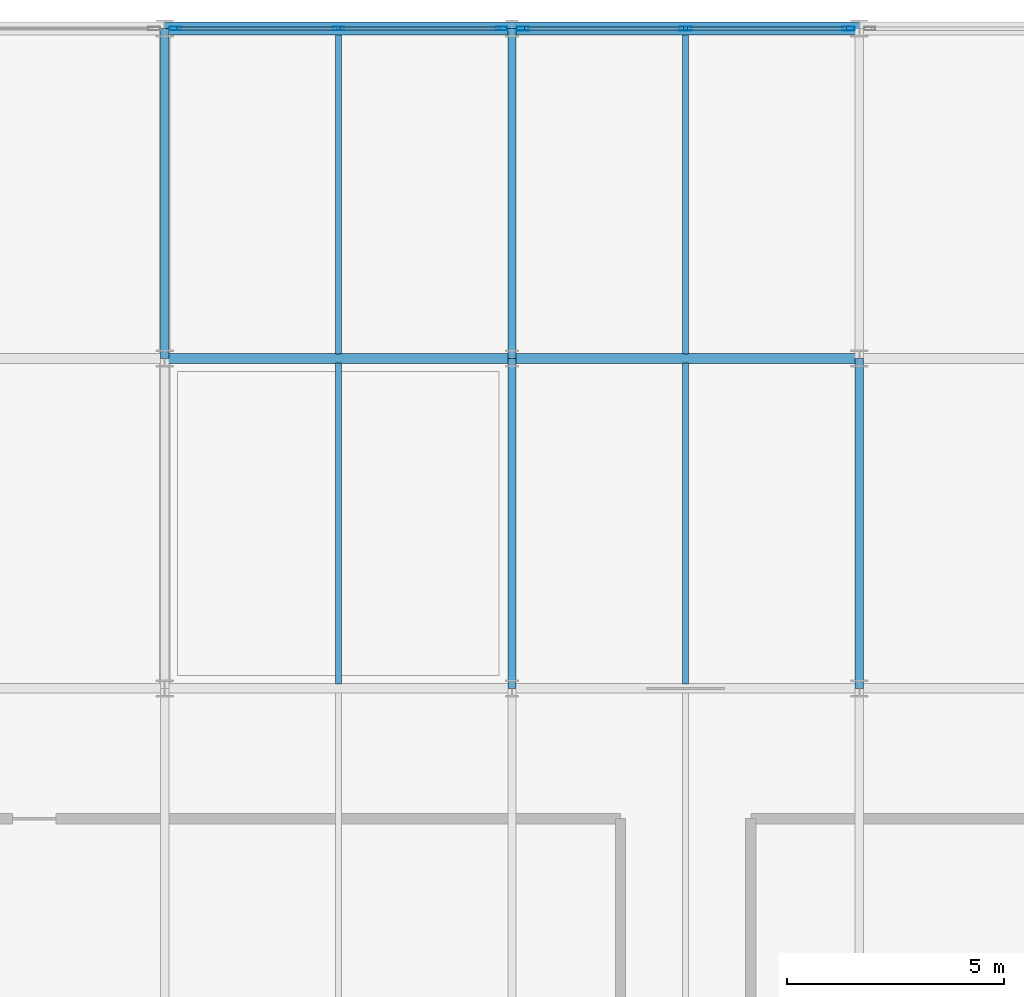
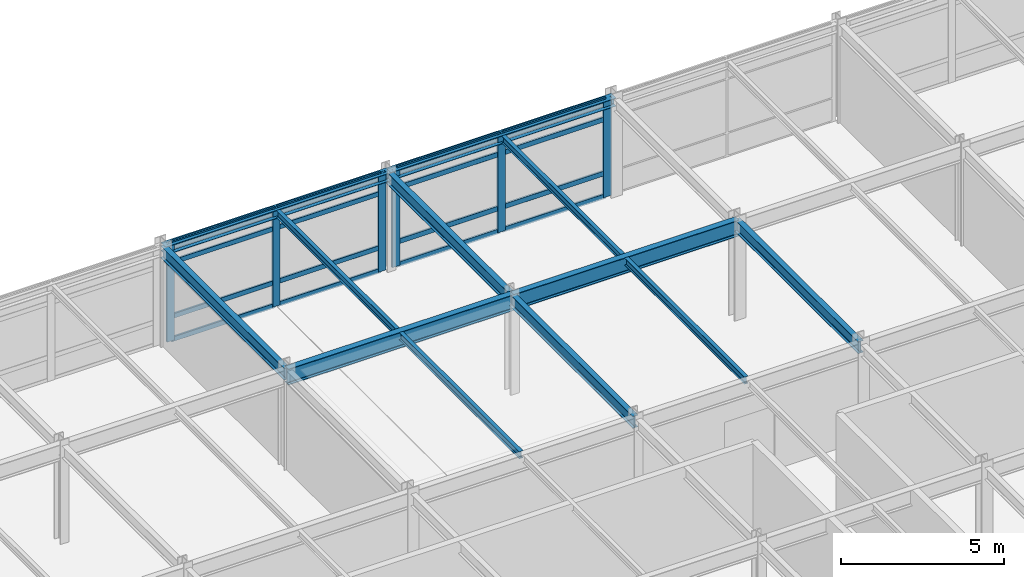
# One storey, part 7 of 14: 22 members, 12 beams, 2 elements without a shape of their own.
"""IFC4 building model written with IfcOpenShell, lengths in metres."""

from ifc_helpers import new_model, si_unit, direction, frame, origin, origin_2d, place, context, subcontext, project, spatial, hollow_rectangle, i_section, extrude, material, layer, layer_set, material_profile, profile_set, type_object, element, aggregate, save


model = new_model("IFC4")

# Units and contexts
model_context = context("Model", 3, precision=1e-05, world=origin(), true_north=direction((0.0, 1.0)))
body_context = subcontext(model_context, "Body", "Model", "MODEL_VIEW")
ifc_project = project(units=[si_unit("LENGTHUNIT", "METRE"), si_unit("AREAUNIT", "SQUARE_METRE"), si_unit("VOLUMEUNIT", "CUBIC_METRE"), si_unit("PLANEANGLEUNIT", "RADIAN"), si_unit("MASSUNIT", "GRAM", prefix="KILO")], contexts=[model_context])

# Site, building, storey
site_placement = place(None, origin())
site = spatial("IfcSite", under=ifc_project, at=site_placement, CompositionType="ELEMENT")
building_placement = place(site_placement, origin())
building = spatial("IfcBuilding", under=site, at=building_placement, Name="Shalkamar Park Central Library", CompositionType="ELEMENT")
storey_placement = place(building_placement, frame((0.0, 0.0, 32.10009765625)))
storey = spatial("IfcBuildingStorey", under=building, at=storey_placement, Name="L08", CompositionType="ELEMENT", Elevation=32.10009765625)

# Beams
ifc_material_1 = material(Name="Steel S355", Category="steel")
ifc_material_profile_1 = material_profile(ifc_material_1, i_section(OverallWidth=0.135009765625, OverallDepth=0.27001953125, WebThickness=0.006591796875, FlangeThickness=0.01025390625, FilletRadius=0.014892578125, at=origin_2d()), Name="IPE 270")
ifc_profile_set_1 = profile_set([ifc_material_profile_1], Name="Steel S355")
beam_type_1 = type_object("IfcBeamType", Name="Composite Floor Joist IPE270", PredefinedType="JOIST", material=ifc_profile_set_1)
beam_1_placement = place(storey_placement, frame((185.0, 278.10791015625, 3.544921875), z_axis=(0.0, 1.0, 0.0), x_axis=(-1.0, 0.0, 0.0)))
element("IfcBeam", 1, at=beam_1_placement, inside=storey, type_object=beam_type_1, Name="Composite Joist 09/F-1 (L08)", PredefinedType="JOIST", context=body_context, shape_type="SweptSolid", body=[
    extrude(i_section(OverallWidth=0.135009765625, OverallDepth=0.27001953125, WebThickness=0.006591796875, FlangeThickness=0.01025390625, FilletRadius=0.014892578125, at=origin_2d()), origin(), (0.0, 0.0, 1.0), 7.384033203125),
])
beam_2_placement = place(storey_placement, frame((185.0, 285.7080078125, 3.544921875), z_axis=(0.0, 1.0, 0.0), x_axis=(-1.0, 0.0, 0.0)))
element("IfcBeam", 2, at=beam_2_placement, inside=storey, type_object=beam_type_1, Name="Composite Joist 09/G-1 (L08)", PredefinedType="JOIST", context=body_context, shape_type="SweptSolid", body=[
    extrude(i_section(OverallWidth=0.135009765625, OverallDepth=0.27001953125, WebThickness=0.006591796875, FlangeThickness=0.01025390625, FilletRadius=0.014892578125, at=origin_2d()), origin(), (0.0, 0.0, 1.0), 7.343994140625),
])
beam_3_placement = place(storey_placement, frame((193.0, 278.10791015625, 3.544921875), z_axis=(0.0, 1.0, 0.0), x_axis=(-1.0, 0.0, 0.0)))
element("IfcBeam", 3, at=beam_3_placement, inside=storey, type_object=beam_type_1, Name="Composite Joist 10/F-1 (L08)", PredefinedType="JOIST", context=body_context, shape_type="SweptSolid", body=[
    extrude(i_section(OverallWidth=0.135009765625, OverallDepth=0.27001953125, WebThickness=0.006591796875, FlangeThickness=0.01025390625, FilletRadius=0.014892578125, at=origin_2d()), origin(), (0.0, 0.0, 1.0), 7.384033203125),
])
beam_4_placement = place(storey_placement, frame((193.0, 285.7080078125, 3.544921875), z_axis=(0.0, 1.0, 0.0), x_axis=(-1.0, 0.0, 0.0)))
element("IfcBeam", 4, at=beam_4_placement, inside=storey, type_object=beam_type_1, Name="Composite Joist 10/G-1 (L08)", PredefinedType="JOIST", context=body_context, shape_type="SweptSolid", body=[
    extrude(i_section(OverallWidth=0.135009765625, OverallDepth=0.27001953125, WebThickness=0.006591796875, FlangeThickness=0.01025390625, FilletRadius=0.014892578125, at=origin_2d()), origin(), (0.0, 0.0, 1.0), 7.343994140625),
])

# Curtain wall, members
ifc_material_2 = material(Name="Thermally broken aluminium and triple low-e curtain wall", Category="aluminium")
ifc_layer_1 = layer(ifc_material_2, 0.264892578125)
ifc_layer_set_1 = layer_set([ifc_layer_1], Name="UnitisedCurtainWall_77")
curtain_wall_type_1 = type_object("IfcCurtainWallType", Name="Unitised Curtain Wall 77", PredefinedType="USERDEFINED", material=ifc_layer_set_1)
curtain_wall_1_placement = place(storey_placement, origin())
curtain_wall_1 = element("IfcCurtainWall", 5, at=curtain_wall_1_placement, inside=storey, type_object=curtain_wall_type_1, Name="Unitised Curtain Wall CW-L08-107", ObjectType="UNITISED CURTAIN WALL", PredefinedType="USERDEFINED")
ifc_material_3 = material(Name="Aluminium 6060-T66", Category="aluminium")
ifc_material_profile_2 = material_profile(ifc_material_3, hollow_rectangle(XDim=0.0849609375, YDim=0.264892578125, WallThickness=0.0048828125, InnerFilletRadius=0.0048828125, OuterFilletRadius=0.007568359375, at=origin_2d()), Name="ALU 85x265x5")
ifc_profile_set_2 = profile_set([ifc_material_profile_2], Name="Aluminium 6060-T66")
member_type_1 = type_object("IfcMemberType", Name="Curtain Wall Mullion ALU85x265", PredefinedType="MULLION", material=ifc_profile_set_2)
member_1_placement = place(storey_placement, frame((181.24560546875, 293.199951171875, 0.0), z_axis=(0.0, 0.0, 1.0), x_axis=(0.0, 1.0, 0.0)))
member_1 = element("IfcMember", 6, at=member_1_placement, type_object=member_type_1, Name="CW-77 mullion 1", PredefinedType="MULLION", context=body_context, shape_type="SweptSolid", body=[
    extrude(hollow_rectangle(XDim=0.0849609375, YDim=0.264892578125, WallThickness=0.0048828125, InnerFilletRadius=0.0048828125, OuterFilletRadius=0.007568359375, at=origin_2d()), origin(), (0.0, 0.0, 1.0), 3.679931640625),
])
member_2_placement = place(storey_placement, frame((185.000732421875, 293.199951171875, 0.0), z_axis=(0.0, 0.0, 1.0), x_axis=(0.0, 1.0, 0.0)))
member_2 = element("IfcMember", 7, at=member_2_placement, type_object=member_type_1, Name="CW-77 mullion 2", PredefinedType="MULLION", context=body_context, shape_type="SweptSolid", body=[
    extrude(hollow_rectangle(XDim=0.0849609375, YDim=0.264892578125, WallThickness=0.0048828125, InnerFilletRadius=0.0048828125, OuterFilletRadius=0.007568359375, at=origin_2d()), origin(), (0.0, 0.0, 1.0), 3.679931640625),
])
member_3_placement = place(storey_placement, frame((188.756103515625, 293.199951171875, 0.0), z_axis=(0.0, 0.0, 1.0), x_axis=(0.0, 1.0, 0.0)))
member_3 = element("IfcMember", 8, at=member_3_placement, type_object=member_type_1, Name="CW-77 mullion 3", PredefinedType="MULLION", context=body_context, shape_type="SweptSolid", body=[
    extrude(hollow_rectangle(XDim=0.0849609375, YDim=0.264892578125, WallThickness=0.0048828125, InnerFilletRadius=0.0048828125, OuterFilletRadius=0.007568359375, at=origin_2d()), origin(), (0.0, 0.0, 1.0), 3.679931640625),
])

ifc_layer_2 = layer(ifc_material_2, 0.280029296875)
ifc_layer_set_2 = layer_set([ifc_layer_2], Name="UnitisedCurtainWall_78")
curtain_wall_type_2 = type_object("IfcCurtainWallType", Name="Unitised Curtain Wall 78", PredefinedType="USERDEFINED", material=ifc_layer_set_2)
curtain_wall_2_placement = place(storey_placement, origin())
curtain_wall_2 = element("IfcCurtainWall", 9, at=curtain_wall_2_placement, inside=storey, type_object=curtain_wall_type_2, Name="Unitised Curtain Wall CW-L08-108", ObjectType="UNITISED CURTAIN WALL", PredefinedType="USERDEFINED")
ifc_material_profile_3 = material_profile(ifc_material_3, hollow_rectangle(XDim=0.090087890625, YDim=0.280029296875, WallThickness=0.0048828125, InnerFilletRadius=0.0048828125, OuterFilletRadius=0.007568359375, at=origin_2d()), Name="ALU 90x280x5")
ifc_profile_set_3 = profile_set([ifc_material_profile_3], Name="Aluminium 6060-T66")
member_type_2 = type_object("IfcMemberType", Name="Curtain Wall Mullion ALU90x280", PredefinedType="MULLION", material=ifc_profile_set_3)
member_4_placement = place(storey_placement, frame((189.24658203125, 293.199951171875, 0.0), z_axis=(0.0, 0.0, 1.0), x_axis=(0.0, 1.0, 0.0)))
member_4 = element("IfcMember", 10, at=member_4_placement, type_object=member_type_2, Name="CW-78 mullion 1", PredefinedType="MULLION", context=body_context, shape_type="SweptSolid", body=[
    extrude(hollow_rectangle(XDim=0.090087890625, YDim=0.280029296875, WallThickness=0.0048828125, InnerFilletRadius=0.0048828125, OuterFilletRadius=0.007568359375, at=origin_2d()), origin(), (0.0, 0.0, 1.0), 3.679931640625),
])
member_5_placement = place(storey_placement, frame((192.999267578125, 293.199951171875, 0.0), z_axis=(0.0, 0.0, 1.0), x_axis=(0.0, 1.0, 0.0)))
member_5 = element("IfcMember", 11, at=member_5_placement, type_object=member_type_2, Name="CW-78 mullion 2", PredefinedType="MULLION", context=body_context, shape_type="SweptSolid", body=[
    extrude(hollow_rectangle(XDim=0.090087890625, YDim=0.280029296875, WallThickness=0.0048828125, InnerFilletRadius=0.0048828125, OuterFilletRadius=0.007568359375, at=origin_2d()), origin(), (0.0, 0.0, 1.0), 3.679931640625),
])
member_6_placement = place(storey_placement, frame((196.751953125, 293.199951171875, 0.0), z_axis=(0.0, 0.0, 1.0), x_axis=(0.0, 1.0, 0.0)))
member_6 = element("IfcMember", 12, at=member_6_placement, type_object=member_type_2, Name="CW-78 mullion 3", PredefinedType="MULLION", context=body_context, shape_type="SweptSolid", body=[
    extrude(hollow_rectangle(XDim=0.090087890625, YDim=0.280029296875, WallThickness=0.0048828125, InnerFilletRadius=0.0048828125, OuterFilletRadius=0.007568359375, at=origin_2d()), origin(), (0.0, 0.0, 1.0), 3.679931640625),
])

# Member
ifc_material_profile_4 = material_profile(ifc_material_3, hollow_rectangle(XDim=0.070068359375, YDim=0.179931640625, WallThickness=0.00439453125, InnerFilletRadius=0.00439453125, OuterFilletRadius=0.0068359375, at=origin_2d()), Name="ALU 70x180x4.5")
ifc_profile_set_4 = profile_set([ifc_material_profile_4], Name="Aluminium 6060-T66")
member_type_3 = type_object("IfcMemberType", Name="Curtain Wall Transom ALU70x180", PredefinedType="USERDEFINED", material=ifc_profile_set_4)
member_7_placement = place(storey_placement, frame((181.2880859375, 293.199951171875, 0.034912109375), z_axis=(1.0, 0.0, 0.0), x_axis=(0.0, 1.0, 0.0)))
member_7 = element("IfcMember", 13, at=member_7_placement, type_object=member_type_3, Name="CW-77 transom 1.1", ObjectType="TRANSOM", PredefinedType="USERDEFINED", context=body_context, shape_type="SweptSolid", body=[
    extrude(hollow_rectangle(XDim=0.070068359375, YDim=0.179931640625, WallThickness=0.00439453125, InnerFilletRadius=0.00439453125, OuterFilletRadius=0.0068359375, at=origin_2d()), origin(), (0.0, 0.0, 1.0), 3.670166015625),
])

member_8_placement = place(storey_placement, frame((181.2880859375, 293.199951171875, 0.89990234375), z_axis=(1.0, 0.0, 0.0), x_axis=(0.0, 1.0, 0.0)))
member_8 = element("IfcMember", 14, at=member_8_placement, type_object=member_type_3, Name="CW-77 transom 1.2", ObjectType="TRANSOM", PredefinedType="USERDEFINED", context=body_context, shape_type="SweptSolid", body=[
    extrude(hollow_rectangle(XDim=0.070068359375, YDim=0.179931640625, WallThickness=0.00439453125, InnerFilletRadius=0.00439453125, OuterFilletRadius=0.0068359375, at=origin_2d()), origin(), (0.0, 0.0, 1.0), 3.670166015625),
])

member_9_placement = place(storey_placement, frame((181.2880859375, 293.199951171875, 2.929931640625), z_axis=(1.0, 0.0, 0.0), x_axis=(0.0, 1.0, 0.0)))
member_9 = element("IfcMember", 15, at=member_9_placement, type_object=member_type_3, Name="CW-77 transom 1.3", ObjectType="TRANSOM", PredefinedType="USERDEFINED", context=body_context, shape_type="SweptSolid", body=[
    extrude(hollow_rectangle(XDim=0.070068359375, YDim=0.179931640625, WallThickness=0.00439453125, InnerFilletRadius=0.00439453125, OuterFilletRadius=0.0068359375, at=origin_2d()), origin(), (0.0, 0.0, 1.0), 3.670166015625),
])

member_10_placement = place(storey_placement, frame((181.2880859375, 293.199951171875, 3.64501953125), z_axis=(1.0, 0.0, 0.0), x_axis=(0.0, 1.0, 0.0)))
member_10 = element("IfcMember", 16, at=member_10_placement, type_object=member_type_3, Name="CW-77 transom 1.4", ObjectType="TRANSOM", PredefinedType="USERDEFINED", context=body_context, shape_type="SweptSolid", body=[
    extrude(hollow_rectangle(XDim=0.070068359375, YDim=0.179931640625, WallThickness=0.00439453125, InnerFilletRadius=0.00439453125, OuterFilletRadius=0.0068359375, at=origin_2d()), origin(), (0.0, 0.0, 1.0), 3.670166015625),
])

member_11_placement = place(storey_placement, frame((185.043212890625, 293.199951171875, 0.034912109375), z_axis=(1.0, 0.0, 0.0), x_axis=(0.0, 1.0, 0.0)))
member_11 = element("IfcMember", 17, at=member_11_placement, type_object=member_type_3, Name="CW-77 transom 2.1", ObjectType="TRANSOM", PredefinedType="USERDEFINED", context=body_context, shape_type="SweptSolid", body=[
    extrude(hollow_rectangle(XDim=0.070068359375, YDim=0.179931640625, WallThickness=0.00439453125, InnerFilletRadius=0.00439453125, OuterFilletRadius=0.0068359375, at=origin_2d()), origin(), (0.0, 0.0, 1.0), 3.670166015625),
])

member_12_placement = place(storey_placement, frame((185.043212890625, 293.199951171875, 0.89990234375), z_axis=(1.0, 0.0, 0.0), x_axis=(0.0, 1.0, 0.0)))
member_12 = element("IfcMember", 18, at=member_12_placement, type_object=member_type_3, Name="CW-77 transom 2.2", ObjectType="TRANSOM", PredefinedType="USERDEFINED", context=body_context, shape_type="SweptSolid", body=[
    extrude(hollow_rectangle(XDim=0.070068359375, YDim=0.179931640625, WallThickness=0.00439453125, InnerFilletRadius=0.00439453125, OuterFilletRadius=0.0068359375, at=origin_2d()), origin(), (0.0, 0.0, 1.0), 3.670166015625),
])

member_13_placement = place(storey_placement, frame((185.043212890625, 293.199951171875, 2.929931640625), z_axis=(1.0, 0.0, 0.0), x_axis=(0.0, 1.0, 0.0)))
member_13 = element("IfcMember", 19, at=member_13_placement, type_object=member_type_3, Name="CW-77 transom 2.3", ObjectType="TRANSOM", PredefinedType="USERDEFINED", context=body_context, shape_type="SweptSolid", body=[
    extrude(hollow_rectangle(XDim=0.070068359375, YDim=0.179931640625, WallThickness=0.00439453125, InnerFilletRadius=0.00439453125, OuterFilletRadius=0.0068359375, at=origin_2d()), origin(), (0.0, 0.0, 1.0), 3.670166015625),
])

member_14_placement = place(storey_placement, frame((185.043212890625, 293.199951171875, 3.64501953125), z_axis=(1.0, 0.0, 0.0), x_axis=(0.0, 1.0, 0.0)))
member_14 = element("IfcMember", 20, at=member_14_placement, type_object=member_type_3, Name="CW-77 transom 2.4", ObjectType="TRANSOM", PredefinedType="USERDEFINED", context=body_context, shape_type="SweptSolid", body=[
    extrude(hollow_rectangle(XDim=0.070068359375, YDim=0.179931640625, WallThickness=0.00439453125, InnerFilletRadius=0.00439453125, OuterFilletRadius=0.0068359375, at=origin_2d()), origin(), (0.0, 0.0, 1.0), 3.670166015625),
])

aggregate(curtain_wall_1, [member_1, member_2, member_3, member_7, member_8, member_9, member_10, member_11, member_12, member_13, member_14])

ifc_material_profile_5 = material_profile(ifc_material_3, hollow_rectangle(XDim=0.070068359375, YDim=0.18994140625, WallThickness=0.0048828125, InnerFilletRadius=0.0048828125, OuterFilletRadius=0.007568359375, at=origin_2d()), Name="ALU 70x190x5")
ifc_profile_set_5 = profile_set([ifc_material_profile_5], Name="Aluminium 6060-T66")
member_type_4 = type_object("IfcMemberType", Name="Curtain Wall Transom ALU70x190", PredefinedType="USERDEFINED", material=ifc_profile_set_5)
member_15_placement = place(storey_placement, frame((189.29150390625, 293.199951171875, 0.034912109375), z_axis=(1.0, 0.0, 0.0), x_axis=(0.0, 1.0, 0.0)))
member_15 = element("IfcMember", 21, at=member_15_placement, type_object=member_type_4, Name="CW-78 transom 1.1", ObjectType="TRANSOM", PredefinedType="USERDEFINED", context=body_context, shape_type="SweptSolid", body=[
    extrude(hollow_rectangle(XDim=0.070068359375, YDim=0.18994140625, WallThickness=0.0048828125, InnerFilletRadius=0.0048828125, OuterFilletRadius=0.007568359375, at=origin_2d()), origin(), (0.0, 0.0, 1.0), 3.662841796875),
])

member_16_placement = place(storey_placement, frame((189.29150390625, 293.199951171875, 0.89990234375), z_axis=(1.0, 0.0, 0.0), x_axis=(0.0, 1.0, 0.0)))
member_16 = element("IfcMember", 22, at=member_16_placement, type_object=member_type_4, Name="CW-78 transom 1.2", ObjectType="TRANSOM", PredefinedType="USERDEFINED", context=body_context, shape_type="SweptSolid", body=[
    extrude(hollow_rectangle(XDim=0.070068359375, YDim=0.18994140625, WallThickness=0.0048828125, InnerFilletRadius=0.0048828125, OuterFilletRadius=0.007568359375, at=origin_2d()), origin(), (0.0, 0.0, 1.0), 3.662841796875),
])

member_17_placement = place(storey_placement, frame((189.29150390625, 293.199951171875, 2.929931640625), z_axis=(1.0, 0.0, 0.0), x_axis=(0.0, 1.0, 0.0)))
member_17 = element("IfcMember", 23, at=member_17_placement, type_object=member_type_4, Name="CW-78 transom 1.3", ObjectType="TRANSOM", PredefinedType="USERDEFINED", context=body_context, shape_type="SweptSolid", body=[
    extrude(hollow_rectangle(XDim=0.070068359375, YDim=0.18994140625, WallThickness=0.0048828125, InnerFilletRadius=0.0048828125, OuterFilletRadius=0.007568359375, at=origin_2d()), origin(), (0.0, 0.0, 1.0), 3.662841796875),
])

member_18_placement = place(storey_placement, frame((189.29150390625, 293.199951171875, 3.64501953125), z_axis=(1.0, 0.0, 0.0), x_axis=(0.0, 1.0, 0.0)))
member_18 = element("IfcMember", 24, at=member_18_placement, type_object=member_type_4, Name="CW-78 transom 1.4", ObjectType="TRANSOM", PredefinedType="USERDEFINED", context=body_context, shape_type="SweptSolid", body=[
    extrude(hollow_rectangle(XDim=0.070068359375, YDim=0.18994140625, WallThickness=0.0048828125, InnerFilletRadius=0.0048828125, OuterFilletRadius=0.007568359375, at=origin_2d()), origin(), (0.0, 0.0, 1.0), 3.662841796875),
])

member_19_placement = place(storey_placement, frame((193.044189453125, 293.199951171875, 0.034912109375), z_axis=(1.0, 0.0, 0.0), x_axis=(0.0, 1.0, 0.0)))
member_19 = element("IfcMember", 25, at=member_19_placement, type_object=member_type_4, Name="CW-78 transom 2.1", ObjectType="TRANSOM", PredefinedType="USERDEFINED", context=body_context, shape_type="SweptSolid", body=[
    extrude(hollow_rectangle(XDim=0.070068359375, YDim=0.18994140625, WallThickness=0.0048828125, InnerFilletRadius=0.0048828125, OuterFilletRadius=0.007568359375, at=origin_2d()), origin(), (0.0, 0.0, 1.0), 3.662841796875),
])

member_20_placement = place(storey_placement, frame((193.044189453125, 293.199951171875, 0.89990234375), z_axis=(1.0, 0.0, 0.0), x_axis=(0.0, 1.0, 0.0)))
member_20 = element("IfcMember", 26, at=member_20_placement, type_object=member_type_4, Name="CW-78 transom 2.2", ObjectType="TRANSOM", PredefinedType="USERDEFINED", context=body_context, shape_type="SweptSolid", body=[
    extrude(hollow_rectangle(XDim=0.070068359375, YDim=0.18994140625, WallThickness=0.0048828125, InnerFilletRadius=0.0048828125, OuterFilletRadius=0.007568359375, at=origin_2d()), origin(), (0.0, 0.0, 1.0), 3.662841796875),
])

member_21_placement = place(storey_placement, frame((193.044189453125, 293.199951171875, 2.929931640625), z_axis=(1.0, 0.0, 0.0), x_axis=(0.0, 1.0, 0.0)))
member_21 = element("IfcMember", 27, at=member_21_placement, type_object=member_type_4, Name="CW-78 transom 2.3", ObjectType="TRANSOM", PredefinedType="USERDEFINED", context=body_context, shape_type="SweptSolid", body=[
    extrude(hollow_rectangle(XDim=0.070068359375, YDim=0.18994140625, WallThickness=0.0048828125, InnerFilletRadius=0.0048828125, OuterFilletRadius=0.007568359375, at=origin_2d()), origin(), (0.0, 0.0, 1.0), 3.662841796875),
])

member_22_placement = place(storey_placement, frame((193.044189453125, 293.199951171875, 3.64501953125), z_axis=(1.0, 0.0, 0.0), x_axis=(0.0, 1.0, 0.0)))
member_22 = element("IfcMember", 28, at=member_22_placement, type_object=member_type_4, Name="CW-78 transom 2.4", ObjectType="TRANSOM", PredefinedType="USERDEFINED", context=body_context, shape_type="SweptSolid", body=[
    extrude(hollow_rectangle(XDim=0.070068359375, YDim=0.18994140625, WallThickness=0.0048828125, InnerFilletRadius=0.0048828125, OuterFilletRadius=0.007568359375, at=origin_2d()), origin(), (0.0, 0.0, 1.0), 3.662841796875),
])

aggregate(curtain_wall_2, [member_4, member_5, member_6, member_15, member_16, member_17, member_18, member_19, member_20, member_21, member_22])

# Beams
ifc_material_profile_6 = material_profile(ifc_material_1, i_section(OverallWidth=0.300048828125, OverallDepth=0.31005859375, WebThickness=0.009033203125, FlangeThickness=0.015380859375, FilletRadius=0.027099609375, at=origin_2d()), Name="HEA 320")
ifc_profile_set_6 = profile_set([ifc_material_profile_6], Name="Steel S355")
beam_type_2 = type_object("IfcBeamType", Name="Perimeter Spandrel Beam HEA320", PredefinedType="SPANDREL", material=ifc_profile_set_6)
for number, where, z_axis, x_axis, name in (
    (29, (181.0, 293.199951171875, 3.52490234375), (1.0, 0.0, 0.0), (0.0, 1.0, 0.0), "Beam H:09-10 (L08)"),
    (30, (189.0, 293.199951171875, 3.52490234375), (1.0, 0.0, 0.0), (0.0, 1.0, 0.0), "Beam H:10-11 (L08)"),
):
    element("IfcBeam", number, at=place(storey_placement, frame(where, z_axis=z_axis, x_axis=x_axis)), inside=storey, type_object=beam_type_2, Name=name, PredefinedType="SPANDREL", context=body_context, shape_type="SweptSolid", body=[
        extrude(i_section(OverallWidth=0.300048828125, OverallDepth=0.31005859375, WebThickness=0.009033203125, FlangeThickness=0.015380859375, FilletRadius=0.027099609375, at=origin_2d()), origin(), (0.0, 0.0, 1.0), 8.0),
    ])
ifc_material_profile_7 = material_profile(ifc_material_1, i_section(OverallWidth=0.18994140625, OverallDepth=0.449951171875, WebThickness=0.009521484375, FlangeThickness=0.0146484375, FilletRadius=0.02099609375, at=origin_2d()), Name="IPE 450")
ifc_profile_set_7 = profile_set([ifc_material_profile_7], Name="Steel S355")
beam_type_3 = type_object("IfcBeamType", Name="Primary Girder IPE450", PredefinedType="BEAM", material=ifc_profile_set_7)
beam_5_placement = place(storey_placement, frame((181.0, 285.60009765625, 3.454833984375), z_axis=(0.0, 1.0, 0.0), x_axis=(-1.0, 0.0, 0.0)))
element("IfcBeam", 31, at=beam_5_placement, inside=storey, type_object=beam_type_3, Name="Beam 09:G-H (L08)", PredefinedType="BEAM", context=body_context, shape_type="SweptSolid", body=[
    extrude(i_section(OverallWidth=0.18994140625, OverallDepth=0.449951171875, WebThickness=0.009521484375, FlangeThickness=0.0146484375, FilletRadius=0.02099609375, at=origin_2d()), origin(), (0.0, 0.0, 1.0), 7.599853515625),
])
beam_6_placement = place(storey_placement, frame((189.0, 278.0, 3.454833984375), z_axis=(0.0, 1.0, 0.0), x_axis=(-1.0, 0.0, 0.0)))
element("IfcBeam", 32, at=beam_6_placement, inside=storey, type_object=beam_type_3, Name="Beam 10:F-G (L08)", PredefinedType="BEAM", context=body_context, shape_type="SweptSolid", body=[
    extrude(i_section(OverallWidth=0.18994140625, OverallDepth=0.449951171875, WebThickness=0.009521484375, FlangeThickness=0.0146484375, FilletRadius=0.02099609375, at=origin_2d()), origin(), (0.0, 0.0, 1.0), 7.60009765625),
])
beam_7_placement = place(storey_placement, frame((189.0, 285.60009765625, 3.454833984375), z_axis=(0.0, 1.0, 0.0), x_axis=(-1.0, 0.0, 0.0)))
element("IfcBeam", 33, at=beam_7_placement, inside=storey, type_object=beam_type_3, Name="Beam 10:G-H (L08)", PredefinedType="BEAM", context=body_context, shape_type="SweptSolid", body=[
    extrude(i_section(OverallWidth=0.18994140625, OverallDepth=0.449951171875, WebThickness=0.009521484375, FlangeThickness=0.0146484375, FilletRadius=0.02099609375, at=origin_2d()), origin(), (0.0, 0.0, 1.0), 7.599853515625),
])
beam_8_placement = place(storey_placement, frame((197.0, 278.0, 3.454833984375), z_axis=(0.0, 1.0, 0.0), x_axis=(-1.0, 0.0, 0.0)))
element("IfcBeam", 34, at=beam_8_placement, inside=storey, type_object=beam_type_3, Name="Beam 11:F-G (L08)", PredefinedType="BEAM", context=body_context, shape_type="SweptSolid", body=[
    extrude(i_section(OverallWidth=0.18994140625, OverallDepth=0.449951171875, WebThickness=0.009521484375, FlangeThickness=0.0146484375, FilletRadius=0.02099609375, at=origin_2d()), origin(), (0.0, 0.0, 1.0), 7.60009765625),
])
ifc_material_profile_8 = material_profile(ifc_material_1, i_section(OverallWidth=0.219970703125, OverallDepth=0.60009765625, WebThickness=0.011962890625, FlangeThickness=0.01904296875, FilletRadius=0.02392578125, at=origin_2d()), Name="IPE 600")
ifc_profile_set_8 = profile_set([ifc_material_profile_8], Name="Steel S355")
beam_type_4 = type_object("IfcBeamType", Name="Primary Girder IPE600", PredefinedType="BEAM", material=ifc_profile_set_8)
for number, where, z_axis, x_axis, name in (
    (35, (181.0, 285.60009765625, 3.3798828125), (1.0, 0.0, 0.0), (0.0, 1.0, 0.0), "Beam G:09-10 (L08)"),
    (36, (189.0, 285.60009765625, 3.3798828125), (1.0, 0.0, 0.0), (0.0, 1.0, 0.0), "Beam G:10-11 (L08)"),
):
    element("IfcBeam", number, at=place(storey_placement, frame(where, z_axis=z_axis, x_axis=x_axis)), inside=storey, type_object=beam_type_4, Name=name, PredefinedType="BEAM", context=body_context, shape_type="SweptSolid", body=[
        extrude(i_section(OverallWidth=0.219970703125, OverallDepth=0.60009765625, WebThickness=0.011962890625, FlangeThickness=0.01904296875, FilletRadius=0.02392578125, at=origin_2d()), origin(), (0.0, 0.0, 1.0), 8.0),
    ])

save(model, "model.ifc")
